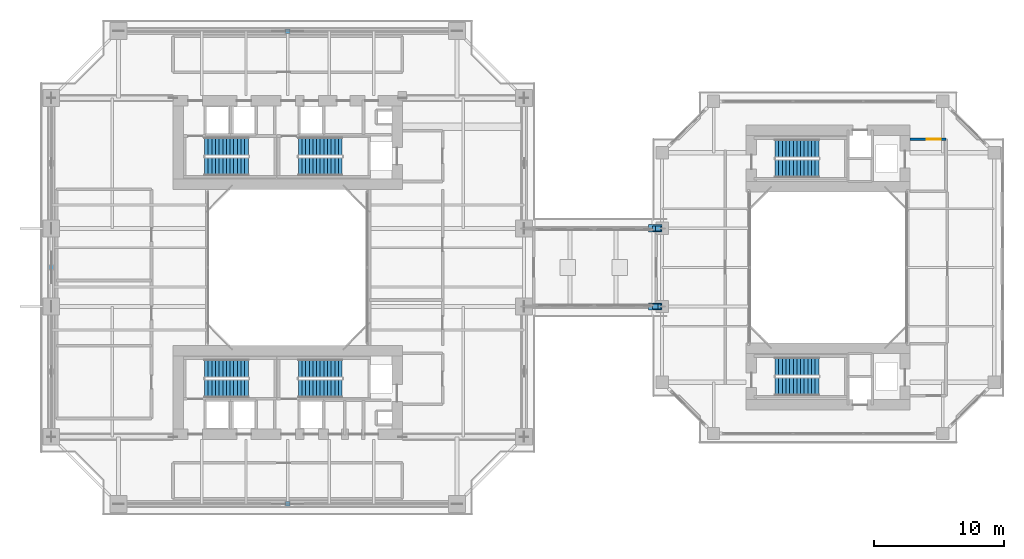
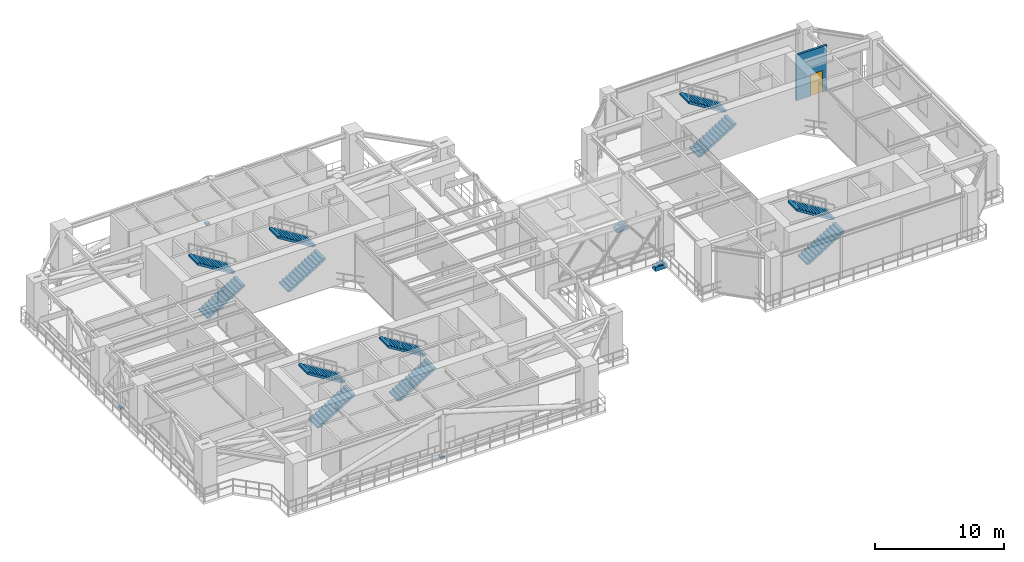
# One storey, part 20 of 26: 12 stair flights, 9 discrete accessories, 1 door, 1 wall, 1 opening, 6 elements without a shape of their own.
"""IFC4 building model written with IfcOpenShell, lengths in metres."""

from ifc_helpers import new_model, si_unit, direction, frame, frame_2d, origin, origin_2d, place, context, subcontext, project, spatial, polyline, rectangle, outline, extrude, source, transform, mapped, material, layer, layer_set, type_object, element, fill, aggregate, save


model = new_model("IFC4")

# Units and contexts
model_context = context("Model", 3, precision=1e-05, world=origin(), true_north=direction((0.0, 1.0)))
body_context = subcontext(model_context, "Body", "Model", "MODEL_VIEW")
ifc_project = project(units=[si_unit("LENGTHUNIT", "METRE"), si_unit("AREAUNIT", "SQUARE_METRE"), si_unit("VOLUMEUNIT", "CUBIC_METRE"), si_unit("PLANEANGLEUNIT", "RADIAN"), si_unit("MASSUNIT", "GRAM", prefix="KILO"), si_unit("THERMODYNAMICTEMPERATUREUNIT", "KELVIN"), si_unit("POWERUNIT", "WATT")], contexts=[model_context])

# Site, building, storey
site_placement = place(None, origin())
site = spatial("IfcSite", under=ifc_project, at=site_placement, CompositionType="ELEMENT")
building_placement = place(site_placement, origin())
building = spatial("IfcBuilding", under=site, at=building_placement, Name="Qiaomeng Ring Towers", CompositionType="ELEMENT")
storey_placement = place(building_placement, frame((0.0, 0.0, 45.75)))
storey = spatial("IfcBuildingStorey", under=building, at=storey_placement, Name="L12", CompositionType="ELEMENT", Elevation=45.75)

# Wall, opening, door
ifc_material_1 = material(Name="Autoclaved aerated concrete block", Category="concrete")
ifc_layer = layer(ifc_material_1, 0.199951171875, Name="Autoclaved aerated concrete block")
ifc_layer_set = layer_set([ifc_layer], Name="Autoclaved aerated concrete block")
wall_type = type_object("IfcWallType", Name="ARC-WL-PW1", PredefinedType="PARTITIONING", material=ifc_layer_set)
wall_placement = place(storey_placement, frame((66.800048828125, 32.85009765625, 0.0), z_axis=(0.0, 0.0, 1.0), x_axis=(1.0, 0.0, 0.0)))
wall = element("IfcWall", 1, at=wall_placement, inside=storey, type_object=wall_type, Name="L12 Interior Wall PW1", PredefinedType="PARTITIONING", context=body_context, shape_type="SweptSolid", body=[
    extrude(rectangle(XDim=2.75, YDim=0.199951171875, at=frame_2d((1.375, 0.0))), origin(), (0.0, 0.0, 1.0), 4.320068359375),
])
opening_placement = place(wall_placement, frame((1.25, 0.0, 0.0)))
opening = element("IfcOpeningElement", 2, at=opening_placement, cuts=wall, Name="Opening FD3", PredefinedType="OPENING", context=body_context, shape_type="SweptSolid", body=[
    extrude(rectangle(XDim=1.10009765625, YDim=2.050048828125, at=frame_2d((0.550048828125, 1.02490234375))), frame((0.0, 0.10986328125, 0.0), z_axis=(0.0, -1.0, 0.0), x_axis=(1.0, 0.0, 0.0)), (0.0, 0.0, 1.0), 0.219970703125),
])
ifc_material_2 = material(Name="Galvanised steel", Category="steel")
door_type = type_object("IfcDoorType", Name="ARC-DR-FD3", OperationType="NOTDEFINED", PredefinedType="DOOR", material=ifc_material_2)
shared_shape_1 = source(origin(), body_context, "Body", "SweptSolid", [
    extrude(rectangle(XDim=1.10009765625, YDim=2.050048828125, at=frame_2d((0.550048828125, 1.02490234375))), frame((0.0, 0.02490234375, 0.0), z_axis=(0.0, -1.0, 0.0), x_axis=(1.0, 0.0, 0.0)), (0.0, 0.0, 1.0), 0.050048828125),
])
door_placement = place(opening_placement, origin())
door = element("IfcDoor", 3, at=door_placement, inside=storey, type_object=door_type, Name="L12 Door FD3", OperationType="SINGLE_SWING_RIGHT", OverallHeight=2.050048828125, OverallWidth=1.10009765625, PredefinedType="DOOR", context=body_context, shape_type="MappedRepresentation", body=[
    mapped(shared_shape_1, transform((0.0, 0.0, 0.0), x_axis=(1.0, 0.0, 0.0), y_axis=(0.0, 1.0, 0.0), z_axis=(0.0, 0.0, 1.0), scale=1.0)),
])
fill(opening, door)

# Stair, stair flights
ifc_material_3 = material(Name="Precast concrete C40", Category="concrete")
stair_type = type_object("IfcStairType", Name="ARC-ST-450", PredefinedType="HALF_TURN_STAIR", material=ifc_material_3)
stair_1_placement = place(storey_placement, origin())
stair_1 = element("IfcStair", 4, at=stair_1_placement, inside=storey, type_object=stair_type, Name="L12 Tower 1 North Stair 1", PredefinedType="HALF_TURN_STAIR")
stair_flight_type = type_object("IfcStairFlightType", Name="ARC-ST-450-FL", PredefinedType="STRAIGHT", material=ifc_material_3)
shared_shape_2 = source(origin(), body_context, "Body", "SweptSolid", [
    extrude(outline(polyline([(0.0, 0.0), (0.0, 0.173095703125), (0.280029296875, 0.173095703125), (0.280029296875, 0.34619140625), (0.56005859375, 0.34619140625), (0.56005859375, 0.519287109375), (0.840087890625, 0.519287109375), (0.840087890625, 0.6923828125), (1.1201171875, 0.6923828125), (1.1201171875, 0.865478515625), (1.39990234375, 0.865478515625), (1.39990234375, 1.03857421875), (1.679931640625, 1.03857421875), (1.679931640625, 1.21142578125), (1.9599609375, 1.21142578125), (1.9599609375, 1.384521484375), (2.239990234375, 1.384521484375), (2.239990234375, 1.5576171875), (2.52001953125, 1.5576171875), (2.52001953125, 1.730712890625), (2.800048828125, 1.730712890625), (2.800048828125, 1.90380859375), (3.080078125, 1.90380859375), (3.080078125, 2.076904296875), (3.360107421875, 2.076904296875), (3.360107421875, 2.25), (3.360107421875, 1.900634765625), (0.28515625, 0.0), (0.0, 0.0)])), frame((0.0, 0.699951171875, 0.0), z_axis=(0.0, -1.0, 0.0), x_axis=(1.0, 0.0, 0.0)), (0.0, 0.0, 1.0), 1.39990234375),
])
stair_flight_1_placement = place(storey_placement, frame((12.6201171875, 30.75, 0.0), z_axis=(0.0, 0.0, 1.0), x_axis=(1.0, 0.0, 0.0)))
stair_flight_1 = element("IfcStairFlight", 5, at=stair_flight_1_placement, type_object=stair_flight_type, Name="ST1 flight 1", NumberOfRisers=13, NumberOfTreads=12, PredefinedType="STRAIGHT", RiserHeight=0.173076923, TreadLength=0.28, context=body_context, shape_type="MappedRepresentation", body=[
    mapped(shared_shape_2, transform((0.0, 0.0, 0.0), x_axis=(1.0, 0.0, 0.0), y_axis=(0.0, 1.0, 0.0), z_axis=(0.0, 0.0, 1.0), scale=1.0)),
])
stair_flight_2_placement = place(storey_placement, frame((15.97998046875, 32.2900390625, 2.25), z_axis=(0.0, 0.0, 1.0), x_axis=(-1.0, 0.0, 0.0)))
stair_flight_2 = element("IfcStairFlight", 6, at=stair_flight_2_placement, type_object=stair_flight_type, Name="ST1 flight 2", NumberOfRisers=13, NumberOfTreads=12, PredefinedType="STRAIGHT", RiserHeight=0.173076923, TreadLength=0.28, context=body_context, shape_type="MappedRepresentation", body=[
    mapped(shared_shape_2, transform((0.0, 0.0, 0.0), x_axis=(1.0, 0.0, 0.0), y_axis=(0.0, 1.0, 0.0), z_axis=(0.0, 0.0, 1.0), scale=1.0)),
])
aggregate(stair_1, [stair_flight_1, stair_flight_2])

stair_2_placement = place(storey_placement, origin())
stair_2 = element("IfcStair", 7, at=stair_2_placement, inside=storey, type_object=stair_type, Name="L12 Tower 1 North Stair 2", PredefinedType="HALF_TURN_STAIR")
stair_flight_3_placement = place(storey_placement, frame((19.820068359375, 30.75, 0.0), z_axis=(0.0, 0.0, 1.0), x_axis=(1.0, 0.0, 0.0)))
stair_flight_3 = element("IfcStairFlight", 8, at=stair_flight_3_placement, type_object=stair_flight_type, Name="ST2 flight 1", NumberOfRisers=13, NumberOfTreads=12, PredefinedType="STRAIGHT", RiserHeight=0.173076923, TreadLength=0.28, context=body_context, shape_type="MappedRepresentation", body=[
    mapped(shared_shape_2, transform((0.0, 0.0, 0.0), x_axis=(1.0, 0.0, 0.0), y_axis=(0.0, 1.0, 0.0), z_axis=(0.0, 0.0, 1.0), scale=1.0)),
])
stair_flight_4_placement = place(storey_placement, frame((23.179931640625, 32.2900390625, 2.25), z_axis=(0.0, 0.0, 1.0), x_axis=(-1.0, 0.0, 0.0)))
stair_flight_4 = element("IfcStairFlight", 9, at=stair_flight_4_placement, type_object=stair_flight_type, Name="ST2 flight 2", NumberOfRisers=13, NumberOfTreads=12, PredefinedType="STRAIGHT", RiserHeight=0.173076923, TreadLength=0.28, context=body_context, shape_type="MappedRepresentation", body=[
    mapped(shared_shape_2, transform((0.0, 0.0, 0.0), x_axis=(1.0, 0.0, 0.0), y_axis=(0.0, 1.0, 0.0), z_axis=(0.0, 0.0, 1.0), scale=1.0)),
])
aggregate(stair_2, [stair_flight_3, stair_flight_4])

stair_3_placement = place(storey_placement, origin())
stair_3 = element("IfcStair", 10, at=stair_3_placement, inside=storey, type_object=stair_type, Name="L12 Tower 1 South Stair 3", PredefinedType="HALF_TURN_STAIR")
stair_flight_5_placement = place(storey_placement, frame((12.6201171875, 13.7099609375, 0.0), z_axis=(0.0, 0.0, 1.0), x_axis=(1.0, 0.0, 0.0)))
stair_flight_5 = element("IfcStairFlight", 11, at=stair_flight_5_placement, type_object=stair_flight_type, Name="ST3 flight 1", NumberOfRisers=13, NumberOfTreads=12, PredefinedType="STRAIGHT", RiserHeight=0.173076923, TreadLength=0.28, context=body_context, shape_type="MappedRepresentation", body=[
    mapped(shared_shape_2, transform((0.0, 0.0, 0.0), x_axis=(1.0, 0.0, 0.0), y_axis=(0.0, 1.0, 0.0), z_axis=(0.0, 0.0, 1.0), scale=1.0)),
])
stair_flight_6_placement = place(storey_placement, frame((15.97998046875, 15.25, 2.25), z_axis=(0.0, 0.0, 1.0), x_axis=(-1.0, 0.0, 0.0)))
stair_flight_6 = element("IfcStairFlight", 12, at=stair_flight_6_placement, type_object=stair_flight_type, Name="ST3 flight 2", NumberOfRisers=13, NumberOfTreads=12, PredefinedType="STRAIGHT", RiserHeight=0.173076923, TreadLength=0.28, context=body_context, shape_type="MappedRepresentation", body=[
    mapped(shared_shape_2, transform((0.0, 0.0, 0.0), x_axis=(1.0, 0.0, 0.0), y_axis=(0.0, 1.0, 0.0), z_axis=(0.0, 0.0, 1.0), scale=1.0)),
])
aggregate(stair_3, [stair_flight_5, stair_flight_6])

stair_4_placement = place(storey_placement, origin())
stair_4 = element("IfcStair", 13, at=stair_4_placement, inside=storey, type_object=stair_type, Name="L12 Tower 1 South Stair 4", PredefinedType="HALF_TURN_STAIR")
stair_flight_7_placement = place(storey_placement, frame((19.820068359375, 13.7099609375, 0.0), z_axis=(0.0, 0.0, 1.0), x_axis=(1.0, 0.0, 0.0)))
stair_flight_7 = element("IfcStairFlight", 14, at=stair_flight_7_placement, type_object=stair_flight_type, Name="ST4 flight 1", NumberOfRisers=13, NumberOfTreads=12, PredefinedType="STRAIGHT", RiserHeight=0.173076923, TreadLength=0.28, context=body_context, shape_type="MappedRepresentation", body=[
    mapped(shared_shape_2, transform((0.0, 0.0, 0.0), x_axis=(1.0, 0.0, 0.0), y_axis=(0.0, 1.0, 0.0), z_axis=(0.0, 0.0, 1.0), scale=1.0)),
])
stair_flight_8_placement = place(storey_placement, frame((23.179931640625, 15.25, 2.25), z_axis=(0.0, 0.0, 1.0), x_axis=(-1.0, 0.0, 0.0)))
stair_flight_8 = element("IfcStairFlight", 15, at=stair_flight_8_placement, type_object=stair_flight_type, Name="ST4 flight 2", NumberOfRisers=13, NumberOfTreads=12, PredefinedType="STRAIGHT", RiserHeight=0.173076923, TreadLength=0.28, context=body_context, shape_type="MappedRepresentation", body=[
    mapped(shared_shape_2, transform((0.0, 0.0, 0.0), x_axis=(1.0, 0.0, 0.0), y_axis=(0.0, 1.0, 0.0), z_axis=(0.0, 0.0, 1.0), scale=1.0)),
])
aggregate(stair_4, [stair_flight_7, stair_flight_8])

stair_5_placement = place(storey_placement, origin())
stair_5 = element("IfcStair", 16, at=stair_5_placement, inside=storey, type_object=stair_type, Name="L12 Companion North Stair 5", PredefinedType="HALF_TURN_STAIR")
stair_flight_9_placement = place(storey_placement, frame((56.419921875, 30.60009765625, 0.0), z_axis=(0.0, 0.0, 1.0), x_axis=(1.0, 0.0, 0.0)))
stair_flight_9 = element("IfcStairFlight", 17, at=stair_flight_9_placement, type_object=stair_flight_type, Name="ST5 flight 1", NumberOfRisers=13, NumberOfTreads=12, PredefinedType="STRAIGHT", RiserHeight=0.173076923, TreadLength=0.28, context=body_context, shape_type="MappedRepresentation", body=[
    mapped(shared_shape_2, transform((0.0, 0.0, 0.0), x_axis=(1.0, 0.0, 0.0), y_axis=(0.0, 1.0, 0.0), z_axis=(0.0, 0.0, 1.0), scale=1.0)),
])
stair_flight_10_placement = place(storey_placement, frame((59.780029296875, 32.139892578125, 2.25), z_axis=(0.0, 0.0, 1.0), x_axis=(-1.0, 0.0, 0.0)))
stair_flight_10 = element("IfcStairFlight", 18, at=stair_flight_10_placement, type_object=stair_flight_type, Name="ST5 flight 2", NumberOfRisers=13, NumberOfTreads=12, PredefinedType="STRAIGHT", RiserHeight=0.173076923, TreadLength=0.28, context=body_context, shape_type="MappedRepresentation", body=[
    mapped(shared_shape_2, transform((0.0, 0.0, 0.0), x_axis=(1.0, 0.0, 0.0), y_axis=(0.0, 1.0, 0.0), z_axis=(0.0, 0.0, 1.0), scale=1.0)),
])
aggregate(stair_5, [stair_flight_9, stair_flight_10])

stair_6_placement = place(storey_placement, origin())
stair_6 = element("IfcStair", 19, at=stair_6_placement, inside=storey, type_object=stair_type, Name="L12 Companion South Stair 6", PredefinedType="HALF_TURN_STAIR")
stair_flight_11_placement = place(storey_placement, frame((56.419921875, 13.860107421875, 0.0), z_axis=(0.0, 0.0, 1.0), x_axis=(1.0, 0.0, 0.0)))
stair_flight_11 = element("IfcStairFlight", 20, at=stair_flight_11_placement, type_object=stair_flight_type, Name="ST6 flight 1", NumberOfRisers=13, NumberOfTreads=12, PredefinedType="STRAIGHT", RiserHeight=0.173076923, TreadLength=0.28, context=body_context, shape_type="MappedRepresentation", body=[
    mapped(shared_shape_2, transform((0.0, 0.0, 0.0), x_axis=(1.0, 0.0, 0.0), y_axis=(0.0, 1.0, 0.0), z_axis=(0.0, 0.0, 1.0), scale=1.0)),
])
stair_flight_12_placement = place(storey_placement, frame((59.780029296875, 15.39990234375, 2.25), z_axis=(0.0, 0.0, 1.0), x_axis=(-1.0, 0.0, 0.0)))
stair_flight_12 = element("IfcStairFlight", 21, at=stair_flight_12_placement, type_object=stair_flight_type, Name="ST6 flight 2", NumberOfRisers=13, NumberOfTreads=12, PredefinedType="STRAIGHT", RiserHeight=0.173076923, TreadLength=0.28, context=body_context, shape_type="MappedRepresentation", body=[
    mapped(shared_shape_2, transform((0.0, 0.0, 0.0), x_axis=(1.0, 0.0, 0.0), y_axis=(0.0, 1.0, 0.0), z_axis=(0.0, 0.0, 1.0), scale=1.0)),
])
aggregate(stair_6, [stair_flight_11, stair_flight_12])

# Discrete accessories
ifc_material_4 = material(Name="Steel Q390GJC", Category="steel")
discrete_accessory_type_1 = type_object("IfcDiscreteAccessoryType", Name="STR-ACC-BRG1", PredefinedType="BRACKET", material=ifc_material_4)
shared_shape_3 = source(origin(), body_context, "Body", "SweptSolid", [
    extrude(rectangle(XDim=1.050048828125, YDim=0.56005859375, at=origin_2d()), origin(), (0.0, 0.0, 1.0), 0.39990234375),
])
for number, where, z_axis, x_axis, name in (
    (22, (47.22509765625, 20.0, -1.18994140625), (0.0, 0.0, 1.0), (1.0, 0.0, 0.0), "SB1 Companion Tower Steel Corbel Seat S"),
    (23, (47.22509765625, 26.0, -1.18994140625), (0.0, 0.0, 1.0), (1.0, 0.0, 0.0), "SB1 Companion Tower Steel Corbel Seat N"),
):
    element("IfcDiscreteAccessory", number, at=place(storey_placement, frame(where, z_axis=z_axis, x_axis=x_axis)), inside=storey, type_object=discrete_accessory_type_1, Name=name, PredefinedType="BRACKET", context=body_context, shape_type="MappedRepresentation", body=[
        mapped(shared_shape_3, transform((0.0, 0.0, 0.0), x_axis=(1.0, 0.0, 0.0), y_axis=(0.0, 1.0, 0.0), z_axis=(0.0, 0.0, 1.0), scale=1.0)),
    ])
shared_shape_4 = source(origin(), body_context, "Body", "SweptSolid", [
    extrude(rectangle(XDim=0.39990234375, YDim=0.39990234375, at=origin_2d()), origin(), (0.0, 0.0, 1.0), 0.159912109375),
])
for number, where, z_axis, x_axis, name in (
    (24, (47.22509765625, 20.0, -0.7900390625), (0.0, 0.0, 1.0), (1.0, 0.0, 0.0), "SB1 Bi-Directional PTFE Spherical Sliding Bearing S1"),
    (25, (47.449951171875, 20.0, -0.7900390625), (0.0, 0.0, 1.0), (1.0, 0.0, 0.0), "SB1 Bi-Directional PTFE Spherical Sliding Bearing S2"),
    (26, (47.22509765625, 26.0, -0.7900390625), (0.0, 0.0, 1.0), (1.0, 0.0, 0.0), "SB1 Bi-Directional PTFE Spherical Sliding Bearing N1"),
    (27, (47.449951171875, 26.0, -0.7900390625), (0.0, 0.0, 1.0), (1.0, 0.0, 0.0), "SB1 Bi-Directional PTFE Spherical Sliding Bearing N2"),
):
    element("IfcDiscreteAccessory", number, at=place(storey_placement, frame(where, z_axis=z_axis, x_axis=x_axis)), inside=storey, type_object=discrete_accessory_type_1, Name=name, PredefinedType="BRACKET", context=body_context, shape_type="MappedRepresentation", body=[
        mapped(shared_shape_4, transform((0.0, 0.0, 0.0), x_axis=(1.0, 0.0, 0.0), y_axis=(0.0, 1.0, 0.0), z_axis=(0.0, 0.0, 1.0), scale=1.0)),
    ])
ifc_material_5 = material(Name="Stainless steel 316", Category="steel")
discrete_accessory_type_2 = type_object("IfcDiscreteAccessoryType", Name="ARC-ACC-BRACKET", PredefinedType="BRACKET", material=ifc_material_5)
shared_shape_5 = source(origin(), body_context, "Body", "SweptSolid", [
    extrude(rectangle(XDim=0.35009765625, YDim=0.35009765625, at=origin_2d()), origin(), (0.0, 0.0, 1.0), 0.179931640625),
])
for number, where, z_axis, x_axis, name in (
    (28, (19.0, 4.85009765625, -0.009765625), (0.0, 0.0, 1.0), (1.0, 0.0, 0.0), "L12 Wind Screen Base Bracket S"),
    (29, (19.0, 41.14990234375, -0.009765625), (0.0, 0.0, 1.0), (-1.0, 0.0, 0.0), "L12 Wind Screen Base Bracket N"),
    (30, (0.85009765625, 23.0, -0.009765625), (0.0, 0.0, 1.0), (0.0, -1.0, 0.0), "L12 Wind Screen Base Bracket W"),
):
    element("IfcDiscreteAccessory", number, at=place(storey_placement, frame(where, z_axis=z_axis, x_axis=x_axis)), inside=storey, type_object=discrete_accessory_type_2, Name=name, PredefinedType="BRACKET", context=body_context, shape_type="MappedRepresentation", body=[
        mapped(shared_shape_5, transform((0.0, 0.0, 0.0), x_axis=(1.0, 0.0, 0.0), y_axis=(0.0, 1.0, 0.0), z_axis=(0.0, 0.0, 1.0), scale=1.0)),
    ])

save(model, "model.ifc")
